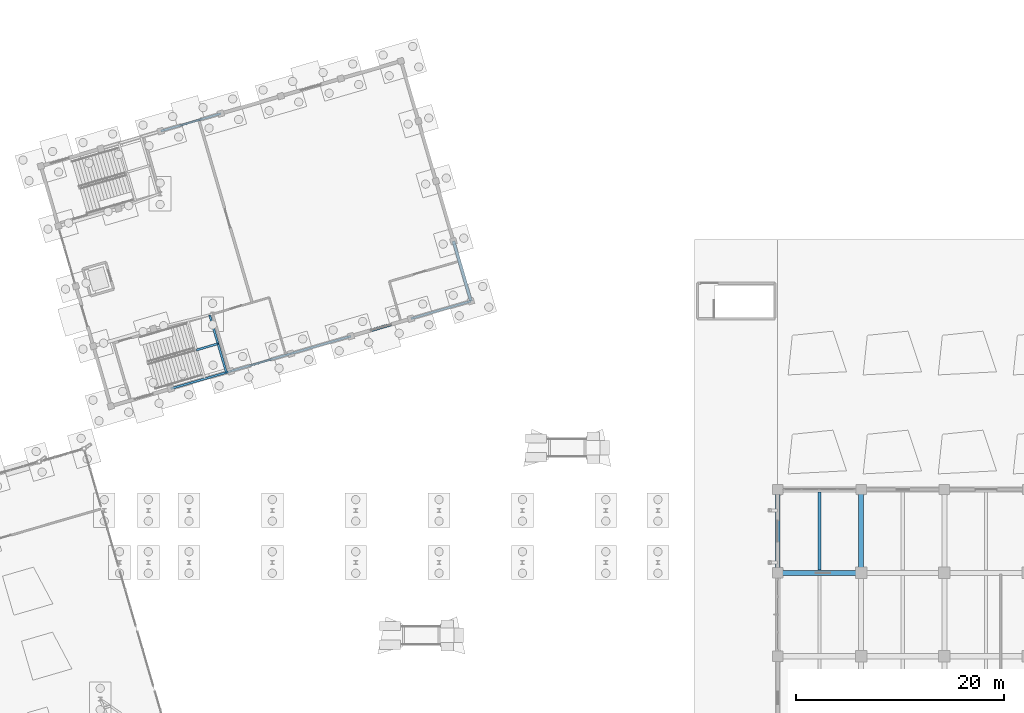
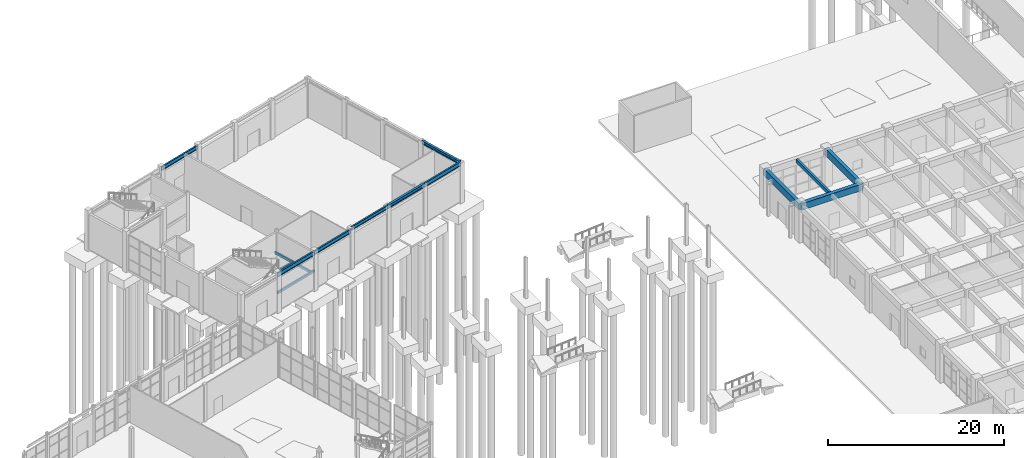
# One storey, part 51 of 90: 14 beams.
"""IFC4 building model written with IfcOpenShell, lengths in metres."""

from ifc_helpers import new_model, si_unit, direction, frame, origin, origin_2d, place, context, subcontext, project, spatial, rectangle, i_section, extrude, material, material_profile, profile_set, type_object, element, save


model = new_model("IFC4")

# Units and contexts
model_context = context("Model", 3, precision=1e-05, world=origin(), true_north=direction((0.0, 1.0)))
body_context = subcontext(model_context, "Body", "Model", "MODEL_VIEW")
ifc_project = project(units=[si_unit("LENGTHUNIT", "METRE"), si_unit("AREAUNIT", "SQUARE_METRE"), si_unit("VOLUMEUNIT", "CUBIC_METRE"), si_unit("PLANEANGLEUNIT", "RADIAN"), si_unit("MASSUNIT", "GRAM", prefix="KILO")], contexts=[model_context])

# Site, building, storey
site_placement = place(None, origin())
site = spatial("IfcSite", under=ifc_project, at=site_placement, CompositionType="ELEMENT")
building_placement = place(site_placement, origin())
building = spatial("IfcBuilding", under=site, at=building_placement, Name="Canggui Botanical Conservatory", CompositionType="ELEMENT")
storey_placement = place(building_placement, origin())
storey = spatial("IfcBuildingStorey", under=building, at=storey_placement, Name="L01", CompositionType="ELEMENT", Elevation=0.0)

# Beams
ifc_material_1 = material(Name="Steel Q355B", Category="steel")
ifc_material_profile_1 = material_profile(ifc_material_1, i_section(OverallWidth=0.300048828125, OverallDepth=0.5, WebThickness=0.010986328125, FlangeThickness=0.01806640625, FilletRadius=0.02392578125, at=origin_2d()), Name="HM 500x300x11x18")
ifc_profile_set_1 = profile_set([ifc_material_profile_1], Name="Steel Q355B")
beam_type_1 = type_object("IfcBeamType", Name="BM-GL01", PredefinedType="BEAM", material=ifc_profile_set_1)
beam_1_placement = place(storey_placement, frame((89.0400390625, 96.719970703125, 5.14990234375), z_axis=(0.960003190047, 0.279989062464, 0.0), x_axis=(-0.279989062464, 0.960003190047, 0.0)))
element("IfcBeam", 1, at=beam_1_placement, inside=storey, type_object=beam_type_1, Name="Auditorium Perimeter Steel Girder 5-0", PredefinedType="BEAM", context=body_context, shape_type="SweptSolid", body=[
    extrude(i_section(OverallWidth=0.300048828125, OverallDepth=0.5, WebThickness=0.010986328125, FlangeThickness=0.01806640625, FilletRadius=0.02392578125, at=origin_2d()), origin(), (0.0, 0.0, 1.0), 6.0),
])
ifc_material_profile_2 = material_profile(ifc_material_1, i_section(OverallWidth=0.300048828125, OverallDepth=0.449951171875, WebThickness=0.010986328125, FlangeThickness=0.01806640625, FilletRadius=0.02392578125, at=origin_2d()), Name="HM 450x300x11x18")
ifc_profile_set_2 = profile_set([ifc_material_profile_2], Name="Steel Q355B")
beam_type_2 = type_object("IfcBeamType", Name="BM-GL02", PredefinedType="BEAM", material=ifc_profile_set_2)
beam_2_placement = place(storey_placement, frame((100.56005859375, 100.080078125, 5.175048828125), z_axis=(-0.280026562133, 0.959992252312, 0.0), x_axis=(-0.959992252312, -0.280026562133, 0.0)))
element("IfcBeam", 2, at=beam_2_placement, inside=storey, type_object=beam_type_2, Name="Auditorium Stage End Girt Girder E-1", PredefinedType="BEAM", context=body_context, shape_type="SweptSolid", body=[
    extrude(i_section(OverallWidth=0.300048828125, OverallDepth=0.449951171875, WebThickness=0.010986328125, FlangeThickness=0.01806640625, FilletRadius=0.02392578125, at=origin_2d()), origin(), (0.0, 0.0, 1.0), 6.0),
])
ifc_material_profile_3 = material_profile(ifc_material_1, i_section(OverallWidth=0.199951171875, OverallDepth=0.60009765625, WebThickness=0.010986328125, FlangeThickness=0.01708984375, FilletRadius=0.02392578125, at=origin_2d()), Name="HN 600x200x11x17")
ifc_profile_set_3 = profile_set([ifc_material_profile_3], Name="Steel Q355B")
beam_type_3 = type_object("IfcBeamType", Name="BM-GL04", PredefinedType="BEAM", material=ifc_profile_set_3)
for number, where, z_axis, x_axis, name in (
    (3, (71.760009765625, 91.679931640625, 4.85498046875), (0.959992252312, 0.280026562133, 0.0), (-0.280026562133, 0.959992252312, 0.0), "Auditorium Perimeter Steel Girder 2-0"),
    (4, (94.800048828125, 98.39990234375, 5.10009765625), (0.959992252312, 0.280026562133, 0.0), (-0.280026562133, 0.959992252312, 0.0), "Auditorium Perimeter Steel Girder 6-0"),
):
    element("IfcBeam", number, at=place(storey_placement, frame(where, z_axis=z_axis, x_axis=x_axis)), inside=storey, type_object=beam_type_3, Name=name, PredefinedType="BEAM", context=body_context, shape_type="SweptSolid", body=[
        extrude(i_section(OverallWidth=0.199951171875, OverallDepth=0.60009765625, WebThickness=0.010986328125, FlangeThickness=0.01708984375, FilletRadius=0.02392578125, at=origin_2d()), origin(), (0.0, 0.0, 1.0), 6.0),
    ])
ifc_material_profile_4 = material_profile(ifc_material_1, i_section(OverallWidth=0.199951171875, OverallDepth=0.550048828125, WebThickness=0.010009765625, FlangeThickness=0.01611328125, FilletRadius=0.02197265625, at=origin_2d()), Name="HN 550x200x10x16")
ifc_profile_set_4 = profile_set([ifc_material_profile_4], Name="Steel Q355B")
beam_type_4 = type_object("IfcBeamType", Name="BM-GL05", PredefinedType="BEAM", material=ifc_profile_set_4)
for number, where, z_axis, x_axis, name in (
    (5, (77.52001953125, 93.360107421875, 4.8798828125), (0.960003190047, 0.279989062464, 0.0), (-0.279989062464, 0.960003190047, 0.0), "Auditorium Perimeter Steel Girder 3-0"),
    (6, (70.800048828125, 116.39990234375, 4.8798828125), (0.959992252312, 0.280026562133, 0.0), (-0.280026562133, 0.959992252312, 0.0), "Auditorium Perimeter Steel Girder 3-1"),
):
    element("IfcBeam", number, at=place(storey_placement, frame(where, z_axis=z_axis, x_axis=x_axis)), inside=storey, type_object=beam_type_4, Name=name, PredefinedType="BEAM", context=body_context, shape_type="SweptSolid", body=[
        extrude(i_section(OverallWidth=0.199951171875, OverallDepth=0.550048828125, WebThickness=0.010009765625, FlangeThickness=0.01611328125, FilletRadius=0.02197265625, at=origin_2d()), origin(), (0.0, 0.0, 1.0), 6.0),
    ])
ifc_material_profile_5 = material_profile(ifc_material_1, i_section(OverallWidth=0.199951171875, OverallDepth=0.5, WebThickness=0.010009765625, FlangeThickness=0.01611328125, FilletRadius=0.02001953125, at=origin_2d()), Name="HN 500x200x10x16")
ifc_profile_set_5 = profile_set([ifc_material_profile_5], Name="Steel Q355B")
beam_type_5 = type_object("IfcBeamType", Name="BM-GL06", PredefinedType="BEAM", material=ifc_profile_set_5)
beam_3_placement = place(storey_placement, frame((83.280029296875, 95.0400390625, 5.14990234375), z_axis=(0.960003190047, 0.279989062464, 0.0), x_axis=(-0.279989062464, 0.960003190047, 0.0)))
element("IfcBeam", 7, at=beam_3_placement, inside=storey, type_object=beam_type_5, Name="Auditorium Perimeter Steel Girder 4-0", PredefinedType="BEAM", context=body_context, shape_type="SweptSolid", body=[
    extrude(i_section(OverallWidth=0.199951171875, OverallDepth=0.5, WebThickness=0.010009765625, FlangeThickness=0.01611328125, FilletRadius=0.02001953125, at=origin_2d()), origin(), (0.0, 0.0, 1.0), 6.0),
])
ifc_material_2 = material(Name="Concrete C35", Category="concrete")
ifc_material_profile_6 = material_profile(ifc_material_2, rectangle(XDim=0.300048828125, YDim=0.5, at=origin_2d()), Name="RB 300x500")
ifc_profile_set_6 = profile_set([ifc_material_profile_6], Name="Concrete C35")
beam_type_6 = type_object("IfcBeamType", Name="BM-JST02", PredefinedType="JOIST", material=ifc_profile_set_6)
beam_4_placement = place(storey_placement, frame((134.0, 74.2548828125, 4.8701171875), z_axis=(0.0, 1.0, 0.0), x_axis=(-1.0, 0.0, 0.0)))
element("IfcBeam", 8, at=beam_4_placement, inside=storey, type_object=beam_type_6, Name="Secondary Floor Joist L01-1-7", PredefinedType="JOIST", context=body_context, shape_type="SweptSolid", body=[
    extrude(rectangle(XDim=0.300048828125, YDim=0.5, at=origin_2d()), origin(), (0.0, 0.0, 1.0), 7.490234375),
])
ifc_material_profile_7 = material_profile(ifc_material_2, rectangle(XDim=0.5, YDim=0.89990234375, at=origin_2d()), Name="RB 500x900")
ifc_profile_set_7 = profile_set([ifc_material_profile_7], Name="Concrete C35")
beam_type_7 = type_object("IfcBeamType", Name="BM-KL03", PredefinedType="BEAM", material=ifc_profile_set_7)
beam_5_placement = place(storey_placement, frame((130.0, 74.0, 4.669921875), z_axis=(1.0, 0.0, 0.0), x_axis=(0.0, 1.0, 0.0)))
element("IfcBeam", 9, at=beam_5_placement, inside=storey, type_object=beam_type_7, Name="Frame Girder L01 Y74-1", PredefinedType="BEAM", context=body_context, shape_type="SweptSolid", body=[
    extrude(rectangle(XDim=0.5, YDim=0.89990234375, at=origin_2d()), origin(), (0.0, 0.0, 1.0), 8.0),
])
ifc_material_profile_8 = material_profile(ifc_material_2, rectangle(XDim=0.449951171875, YDim=0.949951171875, at=origin_2d()), Name="RB 450x950")
ifc_profile_set_8 = profile_set([ifc_material_profile_8], Name="Concrete C35")
beam_type_8 = type_object("IfcBeamType", Name="BM-KL04", PredefinedType="BEAM", material=ifc_profile_set_8)
for number, where, z_axis, x_axis, name in (
    (10, (130.0, 74.0, 4.64501953125), (0.0, 1.0, 0.0), (-1.0, 0.0, 0.0), "Frame Girder L01 X130-7"),
    (11, (138.0, 74.0, 4.64501953125), (0.0, 1.0, 0.0), (-1.0, 0.0, 0.0), "Frame Girder L01 X138-7"),
):
    element("IfcBeam", number, at=place(storey_placement, frame(where, z_axis=z_axis, x_axis=x_axis)), inside=storey, type_object=beam_type_8, Name=name, PredefinedType="BEAM", context=body_context, shape_type="SweptSolid", body=[
        extrude(rectangle(XDim=0.449951171875, YDim=0.949951171875, at=origin_2d()), origin(), (0.0, 0.0, 1.0), 8.0),
    ])
ifc_material_profile_9 = material_profile(ifc_material_2, rectangle(XDim=0.199951171875, YDim=0.320068359375, at=origin_2d()), Name="RB 200x320")
ifc_profile_set_9 = profile_set([ifc_material_profile_9], Name="Concrete C35")
beam_type_9 = type_object("IfcBeamType", Name="BM-LIN02", PredefinedType="LINTEL", material=ifc_profile_set_9)
beam_6_placement = place(storey_placement, frame((71.760009765625, 91.679931640625, 2.3798828125), z_axis=(0.959992252312, 0.280026562133, 0.0), x_axis=(-0.280026562133, 0.959992252312, 0.0)))
element("IfcBeam", 12, at=beam_6_placement, inside=storey, type_object=beam_type_9, Name="ST-A1 Landing Header Outer", PredefinedType="LINTEL", context=body_context, shape_type="SweptSolid", body=[
    extrude(rectangle(XDim=0.199951171875, YDim=0.320068359375, at=origin_2d()), origin(), (0.0, 0.0, 1.0), 6.0),
])
beam_7_placement = place(storey_placement, frame((77.087890625, 93.23388671875, 2.3798828125), z_axis=(-0.279977173756, 0.96000665736, 0.0), x_axis=(-0.96000665736, -0.279977173756, 0.0)))
element("IfcBeam", 13, at=beam_7_placement, inside=storey, type_object=beam_type_9, Name="ST-A1 Landing Trimmer 2", PredefinedType="LINTEL", context=body_context, shape_type="SweptSolid", body=[
    extrude(rectangle(XDim=0.199951171875, YDim=0.320068359375, at=origin_2d()), origin(), (0.0, 0.0, 1.0), 5.75),
])
beam_8_placement = place(storey_placement, frame((74.218994140625, 95.39208984375, 2.3798828125), z_axis=(0.960022890169, 0.279921507484, 0.0), x_axis=(-0.279921507484, 0.960022890169, 0.0)))
element("IfcBeam", 14, at=beam_8_placement, inside=storey, type_object=beam_type_9, Name="ST-A1 Landing Cross Tie", PredefinedType="LINTEL", context=body_context, shape_type="SweptSolid", body=[
    extrude(rectangle(XDim=0.199951171875, YDim=0.320068359375, at=origin_2d()), origin(), (0.0, 0.0, 1.0), 2.14990234375),
])

save(model, "model.ifc")
